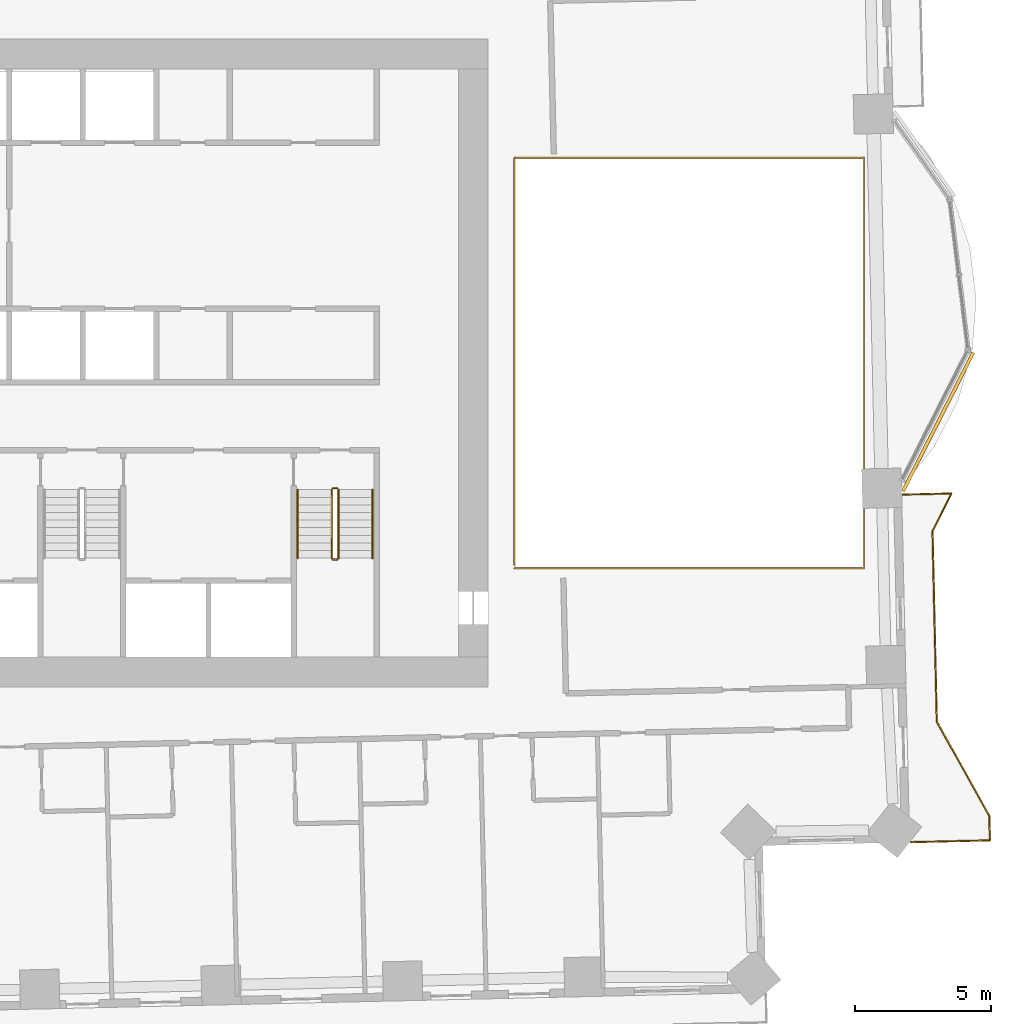
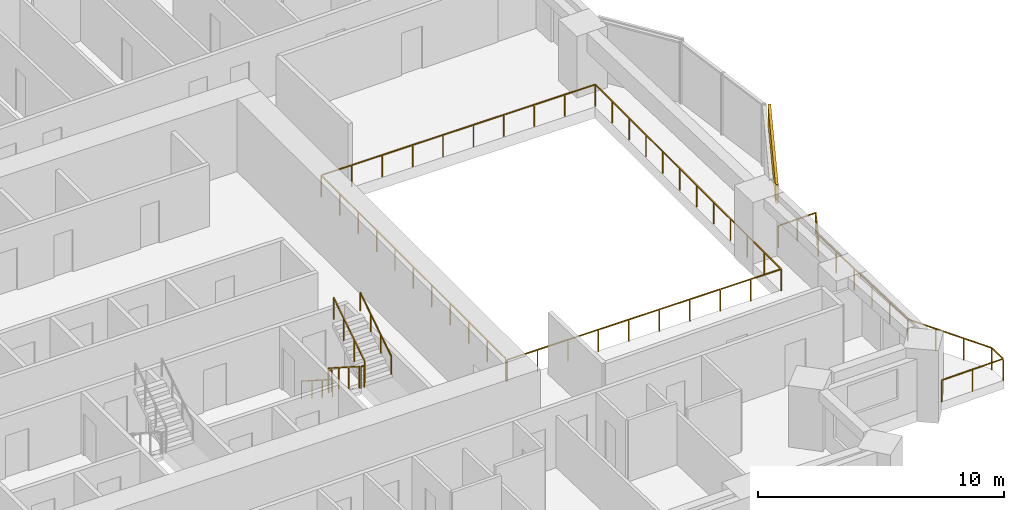
# One storey, part 16 of 17: 8 railings, 1 covering.
"""IFC4 building model written with IfcOpenShell, lengths in metres."""

import ifcopenshell
import ifcopenshell.guid

model = None  # the IFC model being written
_history = None  # IfcOwnerHistory: only IFC2X3 demands one
_inside = {}  # id of a spatial element -> (the spatial element, [elements in it])
_under = {}  # id of a project, library or spatial element -> (it, [spatial elements below it])
_declared = {}  # id of a project -> (the project, [libraries it declares])
_typed = {}  # id of a type object -> (the type object, [elements of that type])
_made_of = {}  # id of a material, layer set ... -> (it, [elements and type objects made of it])


def new_model(schema):
    """Start an empty IFC model of exactly this schema.

    Asked for "IFC4X3", IfcOpenShell would pick the latest addendum, in which some entities
    have other attributes; the version numbers below select the first issue.
    IFC2X3 requires an IfcOwnerHistory on every rooted entity: one is made here for all.
    """
    global model, _history
    if schema == "IFC4X3":
        model = ifcopenshell.file(schema_version=(4, 3, 0, 0))
    else:
        model = ifcopenshell.file(schema=schema)
    _inside.clear()
    _under.clear()
    _declared.clear()
    _typed.clear()
    _made_of.clear()
    _history = None
    if model.schema == "IFC2X3":
        org = make("IfcOrganization", Name="unknown")
        user = make(
            "IfcPersonAndOrganization",
            ThePerson=make("IfcPerson", FamilyName="unknown"),
            TheOrganization=org,
        )
        app = make(
            "IfcApplication",
            ApplicationDeveloper=org,
            Version="unknown",
            ApplicationFullName="unknown",
            ApplicationIdentifier="unknown",
        )
        _history = make(
            "IfcOwnerHistory",
            OwningUser=user,
            OwningApplication=app,
            ChangeAction="ADDED",
            CreationDate=0,
        )
    return model


def make(cls, **values):
    """One entity of the class cls with the attributes given. An attribute that is None is left unset."""
    return model.create_entity(
        cls, **{name: value for name, value in values.items() if value is not None}
    )


def rooted(cls, **values):
    """An entity with a GlobalId (a new one), such as an element, a storey or a relation."""
    return make(cls, GlobalId=ifcopenshell.guid.new(), OwnerHistory=_history, **values)


def si_unit(unit_type, name, prefix=None):
    """IfcSIUnit, for example si_unit("LENGTHUNIT", "METRE", prefix="MILLI")."""
    return make("IfcSIUnit", UnitType=unit_type, Prefix=prefix, Name=name)


def assignment(units):
    """IfcUnitAssignment: the units of a project."""
    return None if units is None else make("IfcUnitAssignment", Units=units)


def point(xyz):
    """IfcCartesianPoint."""
    return None if xyz is None else make("IfcCartesianPoint", Coordinates=xyz)


def direction(xyz):
    """IfcDirection."""
    return None if xyz is None else make("IfcDirection", DirectionRatios=xyz)


def frame(location, z_axis=None, x_axis=None):
    """IfcAxis2Placement3D, a coordinate frame: its origin and axes. An axis left out is left unset."""
    return make(
        "IfcAxis2Placement3D",
        Location=point(location),
        Axis=direction(z_axis),
        RefDirection=direction(x_axis),
    )


def frame_2d(location, x_axis=None):
    """IfcAxis2Placement2D, a coordinate frame in the plane: its origin and x axis."""
    return make(
        "IfcAxis2Placement2D", Location=point(location), RefDirection=direction(x_axis)
    )


def origin():
    """The frame at (0, 0, 0) with its axes left unset."""
    return frame((0.0, 0.0, 0.0))


def origin_2d():
    """The frame at (0, 0) in the plane with its x axis left unset."""
    return frame_2d((0.0, 0.0))


def place(relative_to, where):
    """IfcLocalPlacement: puts the frame where relative to a parent placement (None: the world)."""
    return make(
        "IfcLocalPlacement", PlacementRelTo=relative_to, RelativePlacement=where
    )


def context(
    kind, dimensions, precision=None, world=None, true_north=None, identifier=None
):
    """IfcGeometricRepresentationContext, for example the 3D "Model" context."""
    return make(
        "IfcGeometricRepresentationContext",
        ContextIdentifier=identifier,
        ContextType=kind,
        CoordinateSpaceDimension=dimensions,
        Precision=precision,
        WorldCoordinateSystem=world,
        TrueNorth=true_north,
    )


def subcontext(parent, identifier, kind, view, scale=None):
    """IfcGeometricRepresentationSubContext, for example "Body" below "Model"."""
    return make(
        "IfcGeometricRepresentationSubContext",
        ContextIdentifier=identifier,
        ContextType=kind,
        ParentContext=parent,
        TargetScale=scale,
        TargetView=view,
    )


def project(units=None, contexts=None):
    """IfcProject with its units and contexts."""
    return rooted(
        "IfcProject",
        Name="project",
        RepresentationContexts=contexts,
        UnitsInContext=assignment(units),
    )


def spatial(cls, under=None, at=None, **own):
    """A site, building, storey or space (cls), placed at a placement, below another one or the project."""
    s = rooted(cls, ObjectPlacement=at, **own)
    if under is not None:
        _under.setdefault(under.id(), (under, []))[1].append(s)
    return s


def profile(cls, at=None, kind="AREA", **sizes):
    """A parametric profile (cls). Its sizes go by their IFC names, for example OverallWidth=200.0."""
    return make(cls, ProfileType=kind, Position=at, **sizes)


def rectangle(**sizes):
    """IfcRectangleProfileDef."""
    return profile("IfcRectangleProfileDef", **sizes)


def circle(**sizes):
    """IfcCircleProfileDef."""
    return profile("IfcCircleProfileDef", **sizes)


def extrude(swept, where, along, depth):
    """IfcExtrudedAreaSolid: the profile swept, set in the frame where, extruded along a direction by depth."""
    return make(
        "IfcExtrudedAreaSolid",
        SweptArea=swept,
        Position=where,
        ExtrudedDirection=direction(along),
        Depth=depth,
    )


def shape(context_of_items, identifier, shape_type, items):
    """IfcShapeRepresentation: the items that make up one representation, for example the "Body"."""
    return make(
        "IfcShapeRepresentation",
        ContextOfItems=context_of_items,
        RepresentationIdentifier=identifier,
        RepresentationType=shape_type,
        Items=items,
    )


def material(Name=None, Category=None):
    """IfcMaterial."""
    return make("IfcMaterial", Name=Name, Category=Category)


def layer(
    of_material, thickness, ventilated=None, Name=None, Category=None, Priority=None
):
    """IfcMaterialLayer: one layer of a wall or slab, of a material (None: an air gap)."""
    return make(
        "IfcMaterialLayer",
        Material=of_material,
        LayerThickness=thickness,
        IsVentilated=ventilated,
        Name=Name,
        Category=Category,
        Priority=Priority,
    )


def layer_set(layers, Name=None):
    """IfcMaterialLayerSet."""
    return make("IfcMaterialLayerSet", MaterialLayers=layers, LayerSetName=Name)


def made_of(thing, what):
    """Note that an element or type object is made of a material, layer set ...; save() writes the relation."""
    if what is not None:
        _made_of.setdefault(what.id(), (what, []))[1].append(thing)
    return thing


def type_object(cls, material=None, **own):
    """A type object (cls), such as IfcWallType, which elements share."""
    return made_of(rooted(cls, **own), material)


def element(
    cls,
    number,
    at=None,
    inside=None,
    cuts=None,
    type_object=None,
    material=None,
    context=None,
    identifier="Body",
    shape_type=None,
    held_by="IfcProductDefinitionShape",
    body=None,
    shapes=None,
    **own,
):
    """One element of the class cls, such as IfcWall. Its Tag is "e" and its number.

    at: its placement. inside: the storey or other place that contains it. cuts: it is an
    opening in that element (IfcRelVoidsElement). A single representation is given by context,
    identifier, shape_type and body (its items); several are given by shapes. held_by: the class
    of the entity that holds the representations. save() writes the other relations.
    """
    e = rooted(cls, Tag="e%d" % number, ObjectPlacement=at, **own)
    if body is not None:
        shapes = [shape(context, identifier, shape_type, body)]
    if shapes is not None:
        e.Representation = make(held_by, Representations=shapes)
    if inside is not None:
        _inside.setdefault(inside.id(), (inside, []))[1].append(e)
    if cuts is not None:
        rooted(
            "IfcRelVoidsElement", RelatingBuildingElement=cuts, RelatedOpeningElement=e
        )
    if type_object is not None:
        _typed.setdefault(type_object.id(), (type_object, []))[1].append(e)
    return made_of(e, material)


def aggregate(whole, parts):
    """IfcRelAggregates: a whole, such as a stair, and the parts it consists of."""
    return rooted("IfcRelAggregates", RelatingObject=whole, RelatedObjects=parts)


def save(model, path):
    """Write the relations noted so far, then the file.

    IfcRelAggregates (storeys below a building ...), IfcRelContainedInSpatialStructure (elements
    in a storey), IfcRelDefinesByType, IfcRelAssociatesMaterial and IfcRelDeclares: one each for
    every whole, place, type object, material and project.
    """
    for whole, parts in _under.values():
        aggregate(whole, parts)
    for where, things in _inside.values():
        rooted(
            "IfcRelContainedInSpatialStructure",
            RelatedElements=things,
            RelatingStructure=where,
        )
    for kind, things in _typed.values():
        rooted("IfcRelDefinesByType", RelatedObjects=things, RelatingType=kind)
    for what, things in _made_of.values():
        rooted("IfcRelAssociatesMaterial", RelatedObjects=things, RelatingMaterial=what)
    for by, libraries in _declared.values():
        rooted("IfcRelDeclares", RelatingContext=by, RelatedDefinitions=libraries)
    model.write(path)


model = new_model("IFC4")

# Units and contexts
model_context = context("Model", 3, precision=1e-05, world=origin(), true_north=direction((0.0, 1.0)))
body_context = subcontext(model_context, "Body", "Model", "MODEL_VIEW")
ifc_project = project(units=[si_unit("LENGTHUNIT", "METRE"), si_unit("AREAUNIT", "SQUARE_METRE"), si_unit("VOLUMEUNIT", "CUBIC_METRE"), si_unit("PLANEANGLEUNIT", "RADIAN"), si_unit("MASSUNIT", "GRAM", prefix="KILO")], contexts=[model_context])

# Site, building, storey
site_placement = place(None, origin())
site = spatial("IfcSite", under=ifc_project, at=site_placement, CompositionType="ELEMENT")
building_placement = place(site_placement, origin())
building = spatial("IfcBuilding", under=site, at=building_placement, Name="Mangrove Gate Tower", CompositionType="ELEMENT")
storey_placement = place(building_placement, frame((0.0, 0.0, 86.5)))
storey = spatial("IfcBuildingStorey", under=building, at=storey_placement, Name="L21", CompositionType="ELEMENT", Elevation=86.5)

# Railings
ifc_material_1 = material(Name="Stainless steel grade 316 with laminated glass infill", Category="steel")
railing_type_1 = type_object("IfcRailingType", Name="Balcony guard 1100", PredefinedType="GUARDRAIL", material=ifc_material_1)
railing_1_placement = place(storey_placement, frame((30.419921875, -17.60107421875, 0.0)))
element("IfcRailing", 1, at=railing_1_placement, inside=storey, type_object=railing_type_1, Name="GUARD L21 E1", PredefinedType="GUARDRAIL", context=body_context, shape_type="SweptSolid", body=[
    extrude(rectangle(XDim=0.048095703125, YDim=0.048095703125, at=origin_2d()), frame((0.0, 0.0, 1.076171875), z_axis=(0.999741488917, 0.022736651854, 0.0), x_axis=(-0.022736651854, 0.999741488917, 0.0)), (0.0, 0.0, 1.0), 2.909912109375),
    extrude(rectangle(XDim=0.048095703125, YDim=0.048095703125, at=origin_2d()), frame((2.9091796875, 0.066162109375, 1.076171875), z_axis=(-0.022240834685, 0.999752642043, 0.0), x_axis=(-0.999752642043, -0.022240834685, 0.0)), (0.0, 0.0, 1.0), 0.900146484375),
    extrude(rectangle(XDim=0.048095703125, YDim=0.048095703125, at=origin_2d()), frame((2.88916015625, 0.966064453125, 1.076171875), z_axis=(-0.487307108654, 0.873230657876, 0.0), x_axis=(-0.873230657876, -0.487307108654, 0.0)), (0.0, 0.0, 1.0), 3.958984375),
    extrude(rectangle(XDim=0.048095703125, YDim=0.048095703125, at=origin_2d()), frame((0.9599609375, 4.423095703125, 1.076171875), z_axis=(-0.022705559911, 0.999742195543, 0.0), x_axis=(-0.999742195543, -0.022705559911, 0.0)), (0.0, 0.0, 1.0), 6.999755859375),
    extrude(rectangle(XDim=0.048095703125, YDim=0.048095703125, at=origin_2d()), frame((0.801025390625, 11.421142578125, 1.076171875), z_axis=(0.447025166118, 0.894521380883, 0.0), x_axis=(-0.894521380883, 0.447025166118, 0.0)), (0.0, 0.0, 1.0), 1.554931640625),
    extrude(rectangle(XDim=0.048095703125, YDim=0.048095703125, at=origin_2d()), frame((1.49609375, 12.81201171875, 1.076171875), z_axis=(-0.999736446094, -0.022957315875, 0.0), x_axis=(0.022957315875, -0.999736446094, 0.0)), (0.0, 0.0, 1.0), 1.78662109375),
    extrude(rectangle(XDim=0.0419921875, YDim=0.0419921875, at=origin_2d()), origin(), (0.0, 0.0, 1.0), 1.052001953125),
    extrude(rectangle(XDim=0.0419921875, YDim=0.0419921875, at=origin_2d()), frame((1.45458984375, 0.033203125, 0.0)), (0.0, 0.0, 1.0), 1.052001953125),
    extrude(rectangle(XDim=0.0419921875, YDim=0.0419921875, at=origin_2d()), frame((2.9091796875, 0.066162109375, 0.0)), (0.0, 0.0, 1.0), 1.052001953125),
    extrude(rectangle(XDim=0.0419921875, YDim=0.0419921875, at=origin_2d()), frame((2.88916015625, 0.966064453125, 0.0)), (0.0, 0.0, 1.0), 1.052001953125),
    extrude(rectangle(XDim=0.0419921875, YDim=0.0419921875, at=origin_2d()), frame((2.24609375, 2.118408203125, 0.0)), (0.0, 0.0, 1.0), 1.052001953125),
    extrude(rectangle(XDim=0.0419921875, YDim=0.0419921875, at=origin_2d()), frame((1.60302734375, 3.270751953125, 0.0)), (0.0, 0.0, 1.0), 1.052001953125),
    extrude(rectangle(XDim=0.0419921875, YDim=0.0419921875, at=origin_2d()), frame((0.9599609375, 4.423095703125, 0.0)), (0.0, 0.0, 1.0), 1.052001953125),
    extrude(rectangle(XDim=0.0419921875, YDim=0.0419921875, at=origin_2d()), frame((0.92822265625, 5.82275390625, 0.0)), (0.0, 0.0, 1.0), 1.052001953125),
    extrude(rectangle(XDim=0.0419921875, YDim=0.0419921875, at=origin_2d()), frame((0.896484375, 7.222412109375, 0.0)), (0.0, 0.0, 1.0), 1.052001953125),
    extrude(rectangle(XDim=0.0419921875, YDim=0.0419921875, at=origin_2d()), frame((0.864501953125, 8.621826171875, 0.0)), (0.0, 0.0, 1.0), 1.052001953125),
    extrude(rectangle(XDim=0.0419921875, YDim=0.0419921875, at=origin_2d()), frame((0.832763671875, 10.021484375, 0.0)), (0.0, 0.0, 1.0), 1.052001953125),
    extrude(rectangle(XDim=0.0419921875, YDim=0.0419921875, at=origin_2d()), frame((0.801025390625, 11.421142578125, 0.0)), (0.0, 0.0, 1.0), 1.052001953125),
    extrude(rectangle(XDim=0.0419921875, YDim=0.0419921875, at=origin_2d()), frame((1.1484375, 12.11669921875, 0.0)), (0.0, 0.0, 1.0), 1.052001953125),
    extrude(rectangle(XDim=0.0419921875, YDim=0.0419921875, at=origin_2d()), frame((1.49609375, 12.81201171875, 0.0)), (0.0, 0.0, 1.0), 1.052001953125),
    extrude(rectangle(XDim=0.0419921875, YDim=0.0419921875, at=origin_2d()), frame((0.60302734375, 12.79150390625, 0.0)), (0.0, 0.0, 1.0), 1.052001953125),
    extrude(rectangle(XDim=0.0419921875, YDim=0.0419921875, at=origin_2d()), frame((-0.2900390625, 12.77099609375, 0.0)), (0.0, 0.0, 1.0), 1.052001953125),
])
railing_2_placement = place(storey_placement, frame((15.860107421875, -7.5400390625, 0.0)))
element("IfcRailing", 2, at=railing_2_placement, inside=storey, type_object=railing_type_1, Name="GUARD L21 atrium", PredefinedType="GUARDRAIL", context=body_context, shape_type="SweptSolid", body=[
    extrude(rectangle(XDim=0.048095703125, YDim=0.048095703125, at=origin_2d()), frame((0.0, 0.0, 1.076171875), z_axis=(1.0, 0.0, 0.0), x_axis=(0.0, 1.0, 0.0)), (0.0, 0.0, 1.0), 12.8388671875),
    extrude(rectangle(XDim=0.048095703125, YDim=0.048095703125, at=origin_2d()), frame((12.8388671875, 0.0, 1.076171875), z_axis=(0.0, 1.0, 0.0), x_axis=(-1.0, 0.0, 0.0)), (0.0, 0.0, 1.0), 15.080078125),
    extrude(rectangle(XDim=0.048095703125, YDim=0.048095703125, at=origin_2d()), frame((12.8388671875, 15.080078125, 1.076171875), z_axis=(-1.0, 0.0, 0.0), x_axis=(0.0, -1.0, 0.0)), (0.0, 0.0, 1.0), 12.8388671875),
    extrude(rectangle(XDim=0.048095703125, YDim=0.048095703125, at=origin_2d()), frame((0.0, 15.080078125, 1.076171875), z_axis=(0.0, -1.0, 0.0), x_axis=(1.0, 0.0, 0.0)), (0.0, 0.0, 1.0), 14.9599609375),
    extrude(rectangle(XDim=0.0419921875, YDim=0.0419921875, at=origin_2d()), origin(), (0.0, 0.0, 1.0), 1.052001953125),
    extrude(rectangle(XDim=0.0419921875, YDim=0.0419921875, at=origin_2d()), frame((1.426513671875, 0.0, 0.0)), (0.0, 0.0, 1.0), 1.052001953125),
    extrude(rectangle(XDim=0.0419921875, YDim=0.0419921875, at=origin_2d()), frame((2.85302734375, 0.0, 0.0)), (0.0, 0.0, 1.0), 1.052001953125),
    extrude(rectangle(XDim=0.0419921875, YDim=0.0419921875, at=origin_2d()), frame((4.279541015625, 0.0, 0.0)), (0.0, 0.0, 1.0), 1.052001953125),
    extrude(rectangle(XDim=0.0419921875, YDim=0.0419921875, at=origin_2d()), frame((5.7060546875, 0.0, 0.0)), (0.0, 0.0, 1.0), 1.052001953125),
    extrude(rectangle(XDim=0.0419921875, YDim=0.0419921875, at=origin_2d()), frame((7.1328125, 0.0, 0.0)), (0.0, 0.0, 1.0), 1.052001953125),
    extrude(rectangle(XDim=0.0419921875, YDim=0.0419921875, at=origin_2d()), frame((8.559326171875, 0.0, 0.0)), (0.0, 0.0, 1.0), 1.052001953125),
    extrude(rectangle(XDim=0.0419921875, YDim=0.0419921875, at=origin_2d()), frame((9.98583984375, 0.0, 0.0)), (0.0, 0.0, 1.0), 1.052001953125),
    extrude(rectangle(XDim=0.0419921875, YDim=0.0419921875, at=origin_2d()), frame((11.412353515625, 0.0, 0.0)), (0.0, 0.0, 1.0), 1.052001953125),
    extrude(rectangle(XDim=0.0419921875, YDim=0.0419921875, at=origin_2d()), frame((12.8388671875, 0.0, 0.0)), (0.0, 0.0, 1.0), 1.052001953125),
    extrude(rectangle(XDim=0.0419921875, YDim=0.0419921875, at=origin_2d()), frame((12.8388671875, 1.370849609375, 0.0)), (0.0, 0.0, 1.0), 1.052001953125),
    extrude(rectangle(XDim=0.0419921875, YDim=0.0419921875, at=origin_2d()), frame((12.8388671875, 2.741943359375, 0.0)), (0.0, 0.0, 1.0), 1.052001953125),
    extrude(rectangle(XDim=0.0419921875, YDim=0.0419921875, at=origin_2d()), frame((12.8388671875, 4.11279296875, 0.0)), (0.0, 0.0, 1.0), 1.052001953125),
    extrude(rectangle(XDim=0.0419921875, YDim=0.0419921875, at=origin_2d()), frame((12.8388671875, 5.483642578125, 0.0)), (0.0, 0.0, 1.0), 1.052001953125),
    extrude(rectangle(XDim=0.0419921875, YDim=0.0419921875, at=origin_2d()), frame((12.8388671875, 6.8544921875, 0.0)), (0.0, 0.0, 1.0), 1.052001953125),
    extrude(rectangle(XDim=0.0419921875, YDim=0.0419921875, at=origin_2d()), frame((12.8388671875, 8.2255859375, 0.0)), (0.0, 0.0, 1.0), 1.052001953125),
    extrude(rectangle(XDim=0.0419921875, YDim=0.0419921875, at=origin_2d()), frame((12.8388671875, 9.596435546875, 0.0)), (0.0, 0.0, 1.0), 1.052001953125),
    extrude(rectangle(XDim=0.0419921875, YDim=0.0419921875, at=origin_2d()), frame((12.8388671875, 10.96728515625, 0.0)), (0.0, 0.0, 1.0), 1.052001953125),
    extrude(rectangle(XDim=0.0419921875, YDim=0.0419921875, at=origin_2d()), frame((12.8388671875, 12.338134765625, 0.0)), (0.0, 0.0, 1.0), 1.052001953125),
    extrude(rectangle(XDim=0.0419921875, YDim=0.0419921875, at=origin_2d()), frame((12.8388671875, 13.709228515625, 0.0)), (0.0, 0.0, 1.0), 1.052001953125),
    extrude(rectangle(XDim=0.0419921875, YDim=0.0419921875, at=origin_2d()), frame((12.8388671875, 15.080078125, 0.0)), (0.0, 0.0, 1.0), 1.052001953125),
    extrude(rectangle(XDim=0.0419921875, YDim=0.0419921875, at=origin_2d()), frame((11.412353515625, 15.080078125, 0.0)), (0.0, 0.0, 1.0), 1.052001953125),
    extrude(rectangle(XDim=0.0419921875, YDim=0.0419921875, at=origin_2d()), frame((9.98583984375, 15.080078125, 0.0)), (0.0, 0.0, 1.0), 1.052001953125),
    extrude(rectangle(XDim=0.0419921875, YDim=0.0419921875, at=origin_2d()), frame((8.559326171875, 15.080078125, 0.0)), (0.0, 0.0, 1.0), 1.052001953125),
    extrude(rectangle(XDim=0.0419921875, YDim=0.0419921875, at=origin_2d()), frame((7.1328125, 15.080078125, 0.0)), (0.0, 0.0, 1.0), 1.052001953125),
    extrude(rectangle(XDim=0.0419921875, YDim=0.0419921875, at=origin_2d()), frame((5.7060546875, 15.080078125, 0.0)), (0.0, 0.0, 1.0), 1.052001953125),
    extrude(rectangle(XDim=0.0419921875, YDim=0.0419921875, at=origin_2d()), frame((4.279541015625, 15.080078125, 0.0)), (0.0, 0.0, 1.0), 1.052001953125),
    extrude(rectangle(XDim=0.0419921875, YDim=0.0419921875, at=origin_2d()), frame((2.85302734375, 15.080078125, 0.0)), (0.0, 0.0, 1.0), 1.052001953125),
    extrude(rectangle(XDim=0.0419921875, YDim=0.0419921875, at=origin_2d()), frame((1.426513671875, 15.080078125, 0.0)), (0.0, 0.0, 1.0), 1.052001953125),
    extrude(rectangle(XDim=0.0419921875, YDim=0.0419921875, at=origin_2d()), frame((0.0, 15.080078125, 0.0)), (0.0, 0.0, 1.0), 1.052001953125),
    extrude(rectangle(XDim=0.0419921875, YDim=0.0419921875, at=origin_2d()), frame((0.0, 13.583984375, 0.0)), (0.0, 0.0, 1.0), 1.052001953125),
    extrude(rectangle(XDim=0.0419921875, YDim=0.0419921875, at=origin_2d()), frame((0.0, 12.088134765625, 0.0)), (0.0, 0.0, 1.0), 1.052001953125),
    extrude(rectangle(XDim=0.0419921875, YDim=0.0419921875, at=origin_2d()), frame((0.0, 10.592041015625, 0.0)), (0.0, 0.0, 1.0), 1.052001953125),
    extrude(rectangle(XDim=0.0419921875, YDim=0.0419921875, at=origin_2d()), frame((0.0, 9.09619140625, 0.0)), (0.0, 0.0, 1.0), 1.052001953125),
    extrude(rectangle(XDim=0.0419921875, YDim=0.0419921875, at=origin_2d()), frame((0.0, 7.60009765625, 0.0)), (0.0, 0.0, 1.0), 1.052001953125),
    extrude(rectangle(XDim=0.0419921875, YDim=0.0419921875, at=origin_2d()), frame((0.0, 6.10400390625, 0.0)), (0.0, 0.0, 1.0), 1.052001953125),
    extrude(rectangle(XDim=0.0419921875, YDim=0.0419921875, at=origin_2d()), frame((0.0, 4.608154296875, 0.0)), (0.0, 0.0, 1.0), 1.052001953125),
    extrude(rectangle(XDim=0.0419921875, YDim=0.0419921875, at=origin_2d()), frame((0.0, 3.112060546875, 0.0)), (0.0, 0.0, 1.0), 1.052001953125),
    extrude(rectangle(XDim=0.0419921875, YDim=0.0419921875, at=origin_2d()), frame((0.0, 1.6162109375, 0.0)), (0.0, 0.0, 1.0), 1.052001953125),
    extrude(rectangle(XDim=0.0419921875, YDim=0.0419921875, at=origin_2d()), frame((0.0, 0.1201171875, 0.0)), (0.0, 0.0, 1.0), 1.052001953125),
])
ifc_material_2 = material(Name="Stainless steel 316", Category="steel")
railing_type_2 = type_object("IfcRailingType", Name="Core stair guard 1100", PredefinedType="GUARDRAIL", material=ifc_material_2)
railing_3_placement = place(storey_placement, frame((9.14990234375, -4.64990234375, 0.179931640625)))
element("IfcRailing", 3, at=railing_3_placement, inside=storey, type_object=railing_type_2, Name="L21 ST3 stair guard 1", PredefinedType="GUARDRAIL", context=body_context, shape_type="SweptSolid", body=[
    extrude(rectangle(XDim=0.048095703125, YDim=0.048095703125, at=origin_2d()), frame((0.0, 0.0, 1.076171875), z_axis=(0.0, -0.841162588446, 0.540782303519), x_axis=(1.0, 0.0, 0.0)), (0.0, 0.0, 1.0), 2.995849609375),
    extrude(rectangle(XDim=0.0419921875, YDim=0.0419921875, at=origin_2d()), origin(), (0.0, 0.0, 1.0), 1.052001953125),
    extrude(rectangle(XDim=0.0419921875, YDim=0.0419921875, at=origin_2d()), frame((0.0, -0.840087890625, 0.5400390625)), (0.0, 0.0, 1.0), 1.052001953125),
    extrude(rectangle(XDim=0.0419921875, YDim=0.0419921875, at=origin_2d()), frame((0.0, -1.679931640625, 1.080078125)), (0.0, 0.0, 1.0), 1.052001953125),
    extrude(rectangle(XDim=0.0419921875, YDim=0.0419921875, at=origin_2d()), frame((0.0, -2.52001953125, 1.6201171875)), (0.0, 0.0, 1.0), 1.052001953125),
])
railing_4_placement = place(storey_placement, frame((9.199951171875, -7.219970703125, 1.800048828125)))
element("IfcRailing", 4, at=railing_4_placement, inside=storey, type_object=railing_type_2, Name="L21 ST3 stair guard 2", PredefinedType="GUARDRAIL", context=body_context, shape_type="SweptSolid", body=[
    extrude(rectangle(XDim=0.048095703125, YDim=0.048095703125, at=origin_2d()), frame((0.0, 0.0, 1.076171875), z_axis=(1.0, 0.0, 0.0), x_axis=(0.0, 1.0, 0.0)), (0.0, 0.0, 1.0), 0.150146484375),
    extrude(rectangle(XDim=0.0419921875, YDim=0.0419921875, at=origin_2d()), origin(), (0.0, 0.0, 1.0), 1.052001953125),
    extrude(rectangle(XDim=0.0419921875, YDim=0.0419921875, at=origin_2d()), frame((0.150146484375, 0.0, 0.0)), (0.0, 0.0, 1.0), 1.052001953125),
])
railing_5_placement = place(storey_placement, frame((9.39990234375, -7.169921875, 1.97998046875)))
element("IfcRailing", 5, at=railing_5_placement, inside=storey, type_object=railing_type_2, Name="L21 ST3 stair guard 3", PredefinedType="GUARDRAIL", context=body_context, shape_type="SweptSolid", body=[
    extrude(rectangle(XDim=0.048095703125, YDim=0.048095703125, at=origin_2d()), frame((0.0, 0.0, 1.076171875), z_axis=(0.0, 0.841162588446, 0.540782303519), x_axis=(-1.0, 0.0, 0.0)), (0.0, 0.0, 1.0), 2.995849609375),
    extrude(rectangle(XDim=0.0419921875, YDim=0.0419921875, at=origin_2d()), origin(), (0.0, 0.0, 1.0), 1.052001953125),
    extrude(rectangle(XDim=0.0419921875, YDim=0.0419921875, at=origin_2d()), frame((0.0, 0.840087890625, 0.5400390625)), (0.0, 0.0, 1.0), 1.052001953125),
    extrude(rectangle(XDim=0.0419921875, YDim=0.0419921875, at=origin_2d()), frame((0.0, 1.679931640625, 1.080078125)), (0.0, 0.0, 1.0), 1.052001953125),
    extrude(rectangle(XDim=0.0419921875, YDim=0.0419921875, at=origin_2d()), frame((0.0, 2.52001953125, 1.6201171875)), (0.0, 0.0, 1.0), 1.052001953125),
])
railing_6_placement = place(storey_placement, frame((9.199951171875, -4.60009765625, 0.0)))
element("IfcRailing", 6, at=railing_6_placement, inside=storey, type_object=railing_type_2, Name="L21 ST3 stair guard 4", PredefinedType="GUARDRAIL", context=body_context, shape_type="SweptSolid", body=[
    extrude(rectangle(XDim=0.048095703125, YDim=0.048095703125, at=origin_2d()), frame((0.0, 0.0, 1.076171875), z_axis=(1.0, 0.0, 0.0), x_axis=(0.0, 1.0, 0.0)), (0.0, 0.0, 1.0), 0.150146484375),
    extrude(rectangle(XDim=0.0419921875, YDim=0.0419921875, at=origin_2d()), origin(), (0.0, 0.0, 1.0), 1.052001953125),
    extrude(rectangle(XDim=0.0419921875, YDim=0.0419921875, at=origin_2d()), frame((0.150146484375, 0.0, 0.0)), (0.0, 0.0, 1.0), 1.052001953125),
])
ifc_material_3 = material(Name="Stainless steel 316", Category="steel")
railing_type_3 = type_object("IfcRailingType", Name="Core stair handrail 900", PredefinedType="HANDRAIL", material=ifc_material_3)
railing_7_placement = place(storey_placement, frame((7.89990234375, -4.64990234375, 0.179931640625)))
element("IfcRailing", 7, at=railing_7_placement, inside=storey, type_object=railing_type_3, Name="L21 ST3 stair handrail 1", PredefinedType="HANDRAIL", context=body_context, shape_type="SweptSolid", body=[
    extrude(circle(Radius=0.02392578125, at=origin_2d()), frame((0.0, 0.0, 0.8759765625), z_axis=(0.0, -0.841162588446, 0.540782303519), x_axis=(1.0, 0.0, 0.0)), (0.0, 0.0, 1.0), 2.995849609375),
    extrude(circle(Radius=0.02099609375, at=origin_2d()), origin(), (0.0, 0.0, 1.0), 0.851806640625),
    extrude(circle(Radius=0.02099609375, at=origin_2d()), frame((0.0, -0.840087890625, 0.5400390625)), (0.0, 0.0, 1.0), 0.851806640625),
    extrude(circle(Radius=0.02099609375, at=origin_2d()), frame((0.0, -1.679931640625, 1.080078125)), (0.0, 0.0, 1.0), 0.851806640625),
    extrude(circle(Radius=0.02099609375, at=origin_2d()), frame((0.0, -2.52001953125, 1.6201171875)), (0.0, 0.0, 1.0), 0.851806640625),
])
railing_8_placement = place(storey_placement, frame((10.64990234375, -7.169921875, 1.97998046875)))
element("IfcRailing", 8, at=railing_8_placement, inside=storey, type_object=railing_type_3, Name="L21 ST3 stair handrail 2", PredefinedType="HANDRAIL", context=body_context, shape_type="SweptSolid", body=[
    extrude(circle(Radius=0.02392578125, at=origin_2d()), frame((0.0, 0.0, 0.8759765625), z_axis=(0.0, 0.841162588446, 0.540782303519), x_axis=(-1.0, 0.0, 0.0)), (0.0, 0.0, 1.0), 2.995849609375),
    extrude(circle(Radius=0.02099609375, at=origin_2d()), origin(), (0.0, 0.0, 1.0), 0.851806640625),
    extrude(circle(Radius=0.02099609375, at=origin_2d()), frame((0.0, 0.840087890625, 0.5400390625)), (0.0, 0.0, 1.0), 0.851806640625),
    extrude(circle(Radius=0.02099609375, at=origin_2d()), frame((0.0, 1.679931640625, 1.080078125)), (0.0, 0.0, 1.0), 0.851806640625),
    extrude(circle(Radius=0.02099609375, at=origin_2d()), frame((0.0, 2.52001953125, 1.6201171875)), (0.0, 0.0, 1.0), 0.851806640625),
])

# Covering
ifc_material_4 = material(Name="Limestone", Category="masonry")
ifc_layer_1 = layer(ifc_material_4, 0.0400390625, Name="Limestone cladding")
ifc_material_5 = material(Name="Stainless steel anchors and cavity", Category="steel")
ifc_layer_2 = layer(ifc_material_5, 0.080078125, Name="Fixing cavity")
ifc_layer_set = layer_set([ifc_layer_1, ifc_layer_2], Name="Joint fascia cladding 120")
covering_type = type_object("IfcCoveringType", Name="Joint fascia cladding 120", PredefinedType="CLADDING", material=ifc_layer_set)
covering_placement = place(storey_placement, frame((30.13720703125, -4.705322265625, 2.10009765625), z_axis=(0.0, 0.0, 1.0), x_axis=(0.452477241859, 0.891775950337, 0.0)))
element("IfcCovering", 9, at=covering_placement, inside=storey, type_object=covering_type, Name="STONE FASCIA L21 E1.L1", PredefinedType="CLADDING", context=body_context, shape_type="SweptSolid", body=[
    extrude(rectangle(XDim=5.705810546875, YDim=0.1201171875, at=frame_2d((2.85302734375, 0.0))), origin(), (0.0, 0.0, 1.0), 0.949951171875),
])

save(model, "model.ifc")
